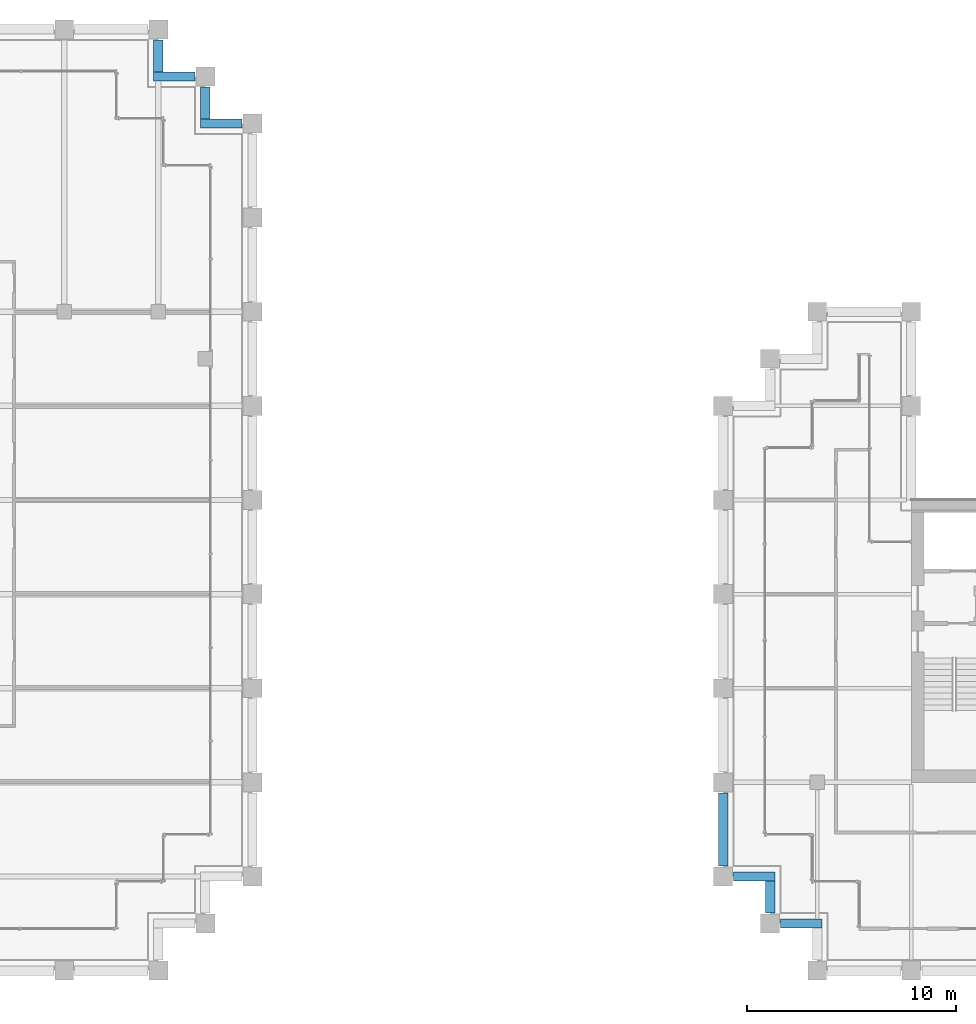
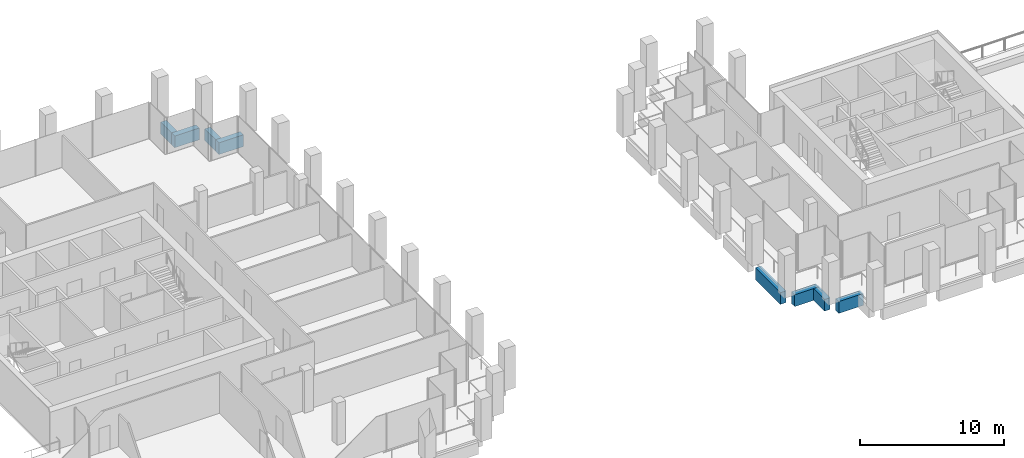
# One storey, part 27 of 44: 8 beams.
"""IFC4 building model written with IfcOpenShell, lengths in metres."""

from ifc_helpers import new_model, si_unit, direction, frame, origin, origin_2d, place, context, subcontext, project, spatial, rectangle, extrude, material, material_profile, profile_set, type_object, element, save


model = new_model("IFC4")

# Units and contexts
model_context = context("Model", 3, precision=1e-05, world=origin(), true_north=direction((0.0, 1.0)))
body_context = subcontext(model_context, "Body", "Model", "MODEL_VIEW")
ifc_project = project(units=[si_unit("LENGTHUNIT", "METRE"), si_unit("AREAUNIT", "SQUARE_METRE"), si_unit("VOLUMEUNIT", "CUBIC_METRE"), si_unit("PLANEANGLEUNIT", "RADIAN"), si_unit("MASSUNIT", "GRAM", prefix="KILO")], contexts=[model_context])

# Site, building, storey
site_placement = place(None, origin())
site = spatial("IfcSite", under=ifc_project, at=site_placement, CompositionType="ELEMENT")
building_placement = place(site_placement, origin())
building = spatial("IfcBuilding", under=site, at=building_placement, Name="Altepetl Exchange Towers", CompositionType="ELEMENT")
storey_placement = place(building_placement, frame((0.0, 0.0, 143.800048828125)))
storey = spatial("IfcBuildingStorey", under=building, at=storey_placement, Name="L35", CompositionType="ELEMENT", Elevation=143.800048828125)

# Beams
ifc_material_1 = material(Name="Concrete C50/60 precast with cantera rosa facing", Category="concrete")
ifc_material_profile_1 = material_profile(ifc_material_1, rectangle(XDim=0.449951171875, YDim=1.0, at=origin_2d()), Name="450 x 1000")
ifc_profile_set_1 = profile_set([ifc_material_profile_1], Name="Concrete C50/60 precast with cantera rosa facing")
beam_type_1 = type_object("IfcBeamType", Name="Spandrel beam 450x1000 cantera rosa", PredefinedType="SPANDREL", material=ifc_profile_set_1)
beam_1_placement = place(storey_placement, frame((71.5, 67.5, -0.650146484375), z_axis=(-1.0, 0.0, 0.0), x_axis=(0.0, -1.0, 0.0)))
element("IfcBeam", 1, at=beam_1_placement, inside=storey, type_object=beam_type_1, Name="sp:A:L35:020", PredefinedType="SPANDREL", context=body_context, shape_type="SweptSolid", body=[
    extrude(rectangle(XDim=0.449951171875, YDim=1.0, at=origin_2d()), origin(), (0.0, 0.0, 1.0), 1.97509765625),
])
beam_2_placement = place(storey_placement, frame((69.75, 67.72509765625, -0.650146484375), z_axis=(0.0, 1.0, 0.0), x_axis=(-1.0, 0.0, 0.0)))
element("IfcBeam", 2, at=beam_2_placement, inside=storey, type_object=beam_type_1, Name="sp:A:L35:021", PredefinedType="SPANDREL", context=body_context, shape_type="SweptSolid", body=[
    extrude(rectangle(XDim=0.449951171875, YDim=1.0, at=origin_2d()), origin(), (0.0, 0.0, 1.0), 1.52490234375),
])
beam_3_placement = place(storey_placement, frame((69.25, 69.75, -0.650146484375), z_axis=(-1.0, 0.0, 0.0), x_axis=(0.0, -1.0, 0.0)))
element("IfcBeam", 3, at=beam_3_placement, inside=storey, type_object=beam_type_1, Name="sp:A:L35:022", PredefinedType="SPANDREL", context=body_context, shape_type="SweptSolid", body=[
    extrude(rectangle(XDim=0.449951171875, YDim=1.0, at=origin_2d()), origin(), (0.0, 0.0, 1.0), 1.97509765625),
])
beam_4_placement = place(storey_placement, frame((67.5, 69.97509765625, -0.650146484375), z_axis=(0.0, 1.0, 0.0), x_axis=(-1.0, 0.0, 0.0)))
element("IfcBeam", 4, at=beam_4_placement, inside=storey, type_object=beam_type_1, Name="sp:A:L35:023", PredefinedType="SPANDREL", context=body_context, shape_type="SweptSolid", body=[
    extrude(rectangle(XDim=0.449951171875, YDim=1.0, at=origin_2d()), origin(), (0.0, 0.0, 1.0), 1.52490234375),
])
ifc_material_2 = material(Name="Concrete C50/60 precast with tezontle facing", Category="concrete")
ifc_material_profile_2 = material_profile(ifc_material_2, rectangle(XDim=0.449951171875, YDim=1.0, at=origin_2d()), Name="450 x 1000")
ifc_profile_set_2 = profile_set([ifc_material_profile_2], Name="Concrete C50/60 precast with tezontle facing")
beam_type_2 = type_object("IfcBeamType", Name="Spandrel beam 450x1000 tezontle", PredefinedType="SPANDREL", material=ifc_profile_set_2)
beam_5_placement = place(storey_placement, frame((94.5, 35.5, -0.650146484375), z_axis=(0.0, -1.0, 0.0), x_axis=(1.0, 0.0, 0.0)))
element("IfcBeam", 5, at=beam_5_placement, inside=storey, type_object=beam_type_2, Name="sp:B:L35:019", PredefinedType="SPANDREL", context=body_context, shape_type="SweptSolid", body=[
    extrude(rectangle(XDim=0.449951171875, YDim=1.0, at=origin_2d()), origin(), (0.0, 0.0, 1.0), 3.5),
])
beam_6_placement = place(storey_placement, frame((95.0, 31.5, -0.650146484375), z_axis=(1.0, 0.0, 0.0), x_axis=(0.0, 1.0, 0.0)))
element("IfcBeam", 6, at=beam_6_placement, inside=storey, type_object=beam_type_2, Name="sp:B:L35:020", PredefinedType="SPANDREL", context=body_context, shape_type="SweptSolid", body=[
    extrude(rectangle(XDim=0.449951171875, YDim=1.0, at=origin_2d()), origin(), (0.0, 0.0, 1.0), 1.97509765625),
])
beam_7_placement = place(storey_placement, frame((96.75, 31.27490234375, -0.650146484375), z_axis=(0.0, -1.0, 0.0), x_axis=(1.0, 0.0, 0.0)))
element("IfcBeam", 7, at=beam_7_placement, inside=storey, type_object=beam_type_2, Name="sp:B:L35:021", PredefinedType="SPANDREL", context=body_context, shape_type="SweptSolid", body=[
    extrude(rectangle(XDim=0.449951171875, YDim=1.0, at=origin_2d()), origin(), (0.0, 0.0, 1.0), 1.52490234375),
])
beam_8_placement = place(storey_placement, frame((97.25, 29.25, -0.650146484375), z_axis=(1.0, 0.0, 0.0), x_axis=(0.0, 1.0, 0.0)))
element("IfcBeam", 8, at=beam_8_placement, inside=storey, type_object=beam_type_2, Name="sp:B:L35:022", PredefinedType="SPANDREL", context=body_context, shape_type="SweptSolid", body=[
    extrude(rectangle(XDim=0.449951171875, YDim=1.0, at=origin_2d()), origin(), (0.0, 0.0, 1.0), 1.97509765625),
])

save(model, "model.ifc")
